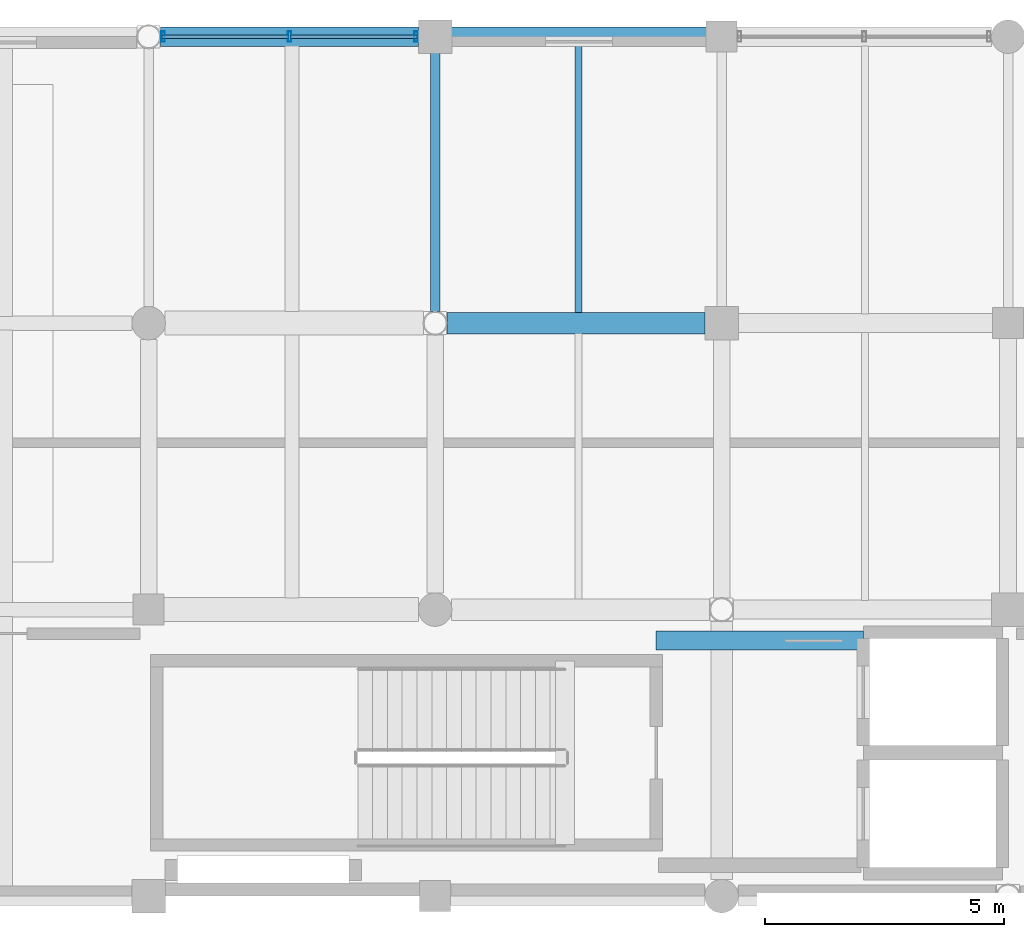
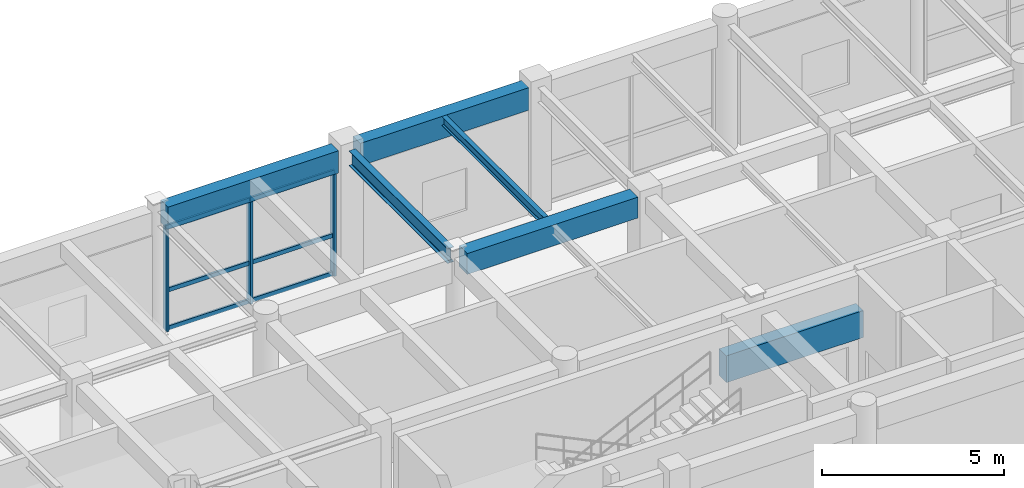
# One storey, part 68 of 116: 9 members, 6 beams, 1 element without a shape of its own.
"""IFC4 building model written with IfcOpenShell, lengths in metres."""

from ifc_helpers import new_model, si_unit, direction, frame, origin, origin_2d, place, context, subcontext, project, spatial, rectangle, hollow_rectangle, i_section, extrude, material, material_profile, profile_set, type_object, element, aggregate, save


model = new_model("IFC4")

# Units and contexts
model_context = context("Model", 3, precision=1e-05, world=origin(), true_north=direction((0.0, 1.0)))
body_context = subcontext(model_context, "Body", "Model", "MODEL_VIEW")
ifc_project = project(units=[si_unit("LENGTHUNIT", "METRE"), si_unit("AREAUNIT", "SQUARE_METRE"), si_unit("VOLUMEUNIT", "CUBIC_METRE"), si_unit("PLANEANGLEUNIT", "RADIAN"), si_unit("MASSUNIT", "GRAM", prefix="KILO"), si_unit("THERMODYNAMICTEMPERATUREUNIT", "KELVIN"), si_unit("POWERUNIT", "WATT")], contexts=[model_context])

# Site, building, storey
site_placement = place(None, origin())
site = spatial("IfcSite", under=ifc_project, at=site_placement, CompositionType="ELEMENT")
building_placement = place(site_placement, origin())
building = spatial("IfcBuilding", under=site, at=building_placement, Name="Phaisarnlok Congress Hotel", CompositionType="ELEMENT")
storey_placement = place(building_placement, frame((0.0, 0.0, 10.5)))
storey = spatial("IfcBuildingStorey", under=building, at=storey_placement, Name="L02", CompositionType="ELEMENT", Elevation=10.5)

# Beams
ifc_material_1 = material(Name="Concrete C40/50", Category="concrete")
ifc_material_profile_1 = material_profile(ifc_material_1, rectangle(XDim=0.449951171875, YDim=0.699951171875, at=origin_2d()), Name="RC 450x700")
ifc_profile_set_1 = profile_set([ifc_material_profile_1], Name="Concrete C40/50")
beam_type_1 = type_object("IfcBeamType", Name="BM-RC-450x700", PredefinedType="BEAM", material=ifc_profile_set_1)
beam_1_placement = place(storey_placement, frame((138.2490234375, 120.0, 3.889892578125), z_axis=(1.0, 0.0, 0.0), x_axis=(0.0, 1.0, 0.0)))
element("IfcBeam", 1, at=beam_1_placement, inside=storey, type_object=beam_type_1, Name="Beam B-03", PredefinedType="BEAM", context=body_context, shape_type="SweptSolid", body=[
    extrude(rectangle(XDim=0.449951171875, YDim=0.699951171875, at=origin_2d()), origin(), (0.0, 0.0, 1.0), 5.406005859375),
])
ifc_material_2 = material(Name="Steel S355", Category="steel")
ifc_material_profile_2 = material_profile(ifc_material_2, i_section(OverallWidth=0.199951171875, OverallDepth=0.5, WebThickness=0.01025390625, FlangeThickness=0.01611328125, FilletRadius=0.02099609375, at=origin_2d()), Name="IPE 500")
ifc_profile_set_2 = profile_set([ifc_material_profile_2], Name="Steel S355")
beam_type_2 = type_object("IfcBeamType", Name="BM-STL-IPE500", PredefinedType="BEAM", material=ifc_profile_set_2)
beam_2_placement = place(storey_placement, frame((138.0, 120.2490234375, 3.989990234375), z_axis=(0.0, 1.0, 0.0), x_axis=(-1.0, 0.0, 0.0)))
element("IfcBeam", 2, at=beam_2_placement, inside=storey, type_object=beam_type_2, Name="Beam SB-02", PredefinedType="BEAM", context=body_context, shape_type="SweptSolid", body=[
    extrude(i_section(OverallWidth=0.199951171875, OverallDepth=0.5, WebThickness=0.01025390625, FlangeThickness=0.01611328125, FilletRadius=0.02099609375, at=origin_2d()), origin(), (0.0, 0.0, 1.0), 5.406005859375),
])

# Curtain wall, members
ifc_material_3 = material(Name="Thermally Broken Unitised Aluminium & Low-E Glazing", Category="aluminium")
curtain_wall_type = type_object("IfcCurtainWallType", Name="CW-UNIT-17", PredefinedType="NOTDEFINED", material=ifc_material_3)
curtain_wall_placement = place(storey_placement, origin())
curtain_wall = element("IfcCurtainWall", 3, at=curtain_wall_placement, inside=storey, type_object=curtain_wall_type, Name="Unitised curtain wall CW-17 (L02)", PredefinedType="NOTDEFINED")
ifc_material_4 = material(Name="Anodised Aluminium Alloy 6063-T6", Category="aluminium")
ifc_material_profile_3 = material_profile(ifc_material_4, hollow_rectangle(XDim=0.074951171875, YDim=0.219970703125, WallThickness=0.0048828125, at=origin_2d()), Name="ALU-M 75x220x5")
ifc_profile_set_3 = profile_set([ifc_material_profile_3], Name="Anodised Aluminium Alloy 6063-T6")
member_type_1 = type_object("IfcMemberType", Name="CWM-220", PredefinedType="MULLION", material=ifc_profile_set_3)
member_1_placement = place(storey_placement, frame((137.60009765625, 126.0, 0.0), z_axis=(0.0, 0.0, 1.0), x_axis=(-1.0, 0.0, 0.0)))
member_1 = element("IfcMember", 4, at=member_1_placement, type_object=member_type_1, Name="Curtain wall mullion CWM-02", PredefinedType="MULLION", context=body_context, shape_type="SweptSolid", body=[
    extrude(hollow_rectangle(XDim=0.074951171875, YDim=0.219970703125, WallThickness=0.0048828125, at=origin_2d()), origin(), (0.0, 0.0, 1.0), 3.489990234375),
])
member_2_placement = place(storey_placement, frame((134.951904296875, 126.0, 0.0), z_axis=(0.0, 0.0, 1.0), x_axis=(-1.0, 0.0, 0.0)))
member_2 = element("IfcMember", 5, at=member_2_placement, type_object=member_type_1, Name="Curtain wall mullion CWM-02", PredefinedType="MULLION", context=body_context, shape_type="SweptSolid", body=[
    extrude(hollow_rectangle(XDim=0.074951171875, YDim=0.219970703125, WallThickness=0.0048828125, at=origin_2d()), origin(), (0.0, 0.0, 1.0), 3.489990234375),
])
member_3_placement = place(storey_placement, frame((132.303955078125, 126.0, 0.0), z_axis=(0.0, 0.0, 1.0), x_axis=(-1.0, 0.0, 0.0)))
member_3 = element("IfcMember", 6, at=member_3_placement, type_object=member_type_1, Name="Curtain wall mullion CWM-02", PredefinedType="MULLION", context=body_context, shape_type="SweptSolid", body=[
    extrude(hollow_rectangle(XDim=0.074951171875, YDim=0.219970703125, WallThickness=0.0048828125, at=origin_2d()), origin(), (0.0, 0.0, 1.0), 3.489990234375),
])
ifc_material_profile_4 = material_profile(ifc_material_4, hollow_rectangle(XDim=0.06494140625, YDim=0.139892578125, WallThickness=0.00390625, at=origin_2d()), Name="ALU-T 65x140x4")
ifc_profile_set_4 = profile_set([ifc_material_profile_4], Name="Anodised Aluminium Alloy 6063-T6")
member_type_2 = type_object("IfcMemberType", Name="CWT-150", PredefinedType="USERDEFINED", material=ifc_profile_set_4)
member_4_placement = place(storey_placement, frame((137.625, 126.0, 0.050048828125), z_axis=(-1.0, 0.0, 0.0), x_axis=(0.0, -1.0, 0.0)))
member_4 = element("IfcMember", 7, at=member_4_placement, type_object=member_type_2, Name="Curtain wall transom CWT-01", ObjectType="TRANSOM", PredefinedType="USERDEFINED", context=body_context, shape_type="SweptSolid", body=[
    extrude(hollow_rectangle(XDim=0.06494140625, YDim=0.139892578125, WallThickness=0.00390625, at=origin_2d()), origin(), (0.0, 0.0, 1.0), 2.657958984375),
])
member_5_placement = place(storey_placement, frame((137.625, 126.0, 1.326171875), z_axis=(-1.0, 0.0, 0.0), x_axis=(0.0, -1.0, 0.0)))
member_5 = element("IfcMember", 8, at=member_5_placement, type_object=member_type_2, Name="Curtain wall transom CWT-01", ObjectType="TRANSOM", PredefinedType="USERDEFINED", context=body_context, shape_type="SweptSolid", body=[
    extrude(hollow_rectangle(XDim=0.06494140625, YDim=0.139892578125, WallThickness=0.00390625, at=origin_2d()), origin(), (0.0, 0.0, 1.0), 2.657958984375),
])
member_6_placement = place(storey_placement, frame((137.625, 126.0, 3.43994140625), z_axis=(-1.0, 0.0, 0.0), x_axis=(0.0, -1.0, 0.0)))
member_6 = element("IfcMember", 9, at=member_6_placement, type_object=member_type_2, Name="Curtain wall transom CWT-01", ObjectType="TRANSOM", PredefinedType="USERDEFINED", context=body_context, shape_type="SweptSolid", body=[
    extrude(hollow_rectangle(XDim=0.06494140625, YDim=0.139892578125, WallThickness=0.00390625, at=origin_2d()), origin(), (0.0, 0.0, 1.0), 2.657958984375),
])
member_7_placement = place(storey_placement, frame((134.93701171875, 126.0, 0.050048828125), z_axis=(-1.0, 0.0, 0.0), x_axis=(0.0, -1.0, 0.0)))
member_7 = element("IfcMember", 10, at=member_7_placement, type_object=member_type_2, Name="Curtain wall transom CWT-01", ObjectType="TRANSOM", PredefinedType="USERDEFINED", context=body_context, shape_type="SweptSolid", body=[
    extrude(hollow_rectangle(XDim=0.06494140625, YDim=0.139892578125, WallThickness=0.00390625, at=origin_2d()), origin(), (0.0, 0.0, 1.0), 2.657958984375),
])
member_8_placement = place(storey_placement, frame((134.93701171875, 126.0, 1.326171875), z_axis=(-1.0, 0.0, 0.0), x_axis=(0.0, -1.0, 0.0)))
member_8 = element("IfcMember", 11, at=member_8_placement, type_object=member_type_2, Name="Curtain wall transom CWT-01", ObjectType="TRANSOM", PredefinedType="USERDEFINED", context=body_context, shape_type="SweptSolid", body=[
    extrude(hollow_rectangle(XDim=0.06494140625, YDim=0.139892578125, WallThickness=0.00390625, at=origin_2d()), origin(), (0.0, 0.0, 1.0), 2.657958984375),
])
member_9_placement = place(storey_placement, frame((134.93701171875, 126.0, 3.43994140625), z_axis=(-1.0, 0.0, 0.0), x_axis=(0.0, -1.0, 0.0)))
member_9 = element("IfcMember", 12, at=member_9_placement, type_object=member_type_2, Name="Curtain wall transom CWT-01", ObjectType="TRANSOM", PredefinedType="USERDEFINED", context=body_context, shape_type="SweptSolid", body=[
    extrude(hollow_rectangle(XDim=0.06494140625, YDim=0.139892578125, WallThickness=0.00390625, at=origin_2d()), origin(), (0.0, 0.0, 1.0), 2.657958984375),
])
aggregate(curtain_wall, [member_1, member_2, member_3, member_4, member_5, member_6, member_7, member_8, member_9])

# Beams
ifc_material_profile_5 = material_profile(ifc_material_2, i_section(OverallWidth=0.14990234375, OverallDepth=0.300048828125, WebThickness=0.007080078125, FlangeThickness=0.0107421875, FilletRadius=0.014892578125, at=origin_2d()), Name="IPE 300")
ifc_profile_set_5 = profile_set([ifc_material_profile_5], Name="Steel S355")
beam_type_3 = type_object("IfcBeamType", Name="JS-STL-IPE300", PredefinedType="JOIST", material=ifc_profile_set_5)
beam_3_placement = place(storey_placement, frame((141.0, 120.219970703125, 4.090087890625), z_axis=(0.0, 1.0, 0.0), x_axis=(-1.0, 0.0, 0.0)))
element("IfcBeam", 13, at=beam_3_placement, inside=storey, type_object=beam_type_3, Name="Secondary floor joist J-03", PredefinedType="JOIST", context=body_context, shape_type="SweptSolid", body=[
    extrude(i_section(OverallWidth=0.14990234375, OverallDepth=0.300048828125, WebThickness=0.007080078125, FlangeThickness=0.0107421875, FilletRadius=0.014892578125, at=origin_2d()), origin(), (0.0, 0.0, 1.0), 5.5849609375),
])
ifc_material_5 = material(Name="Concrete C50/60", Category="concrete")
ifc_material_profile_6 = material_profile(ifc_material_5, rectangle(XDim=0.39990234375, YDim=0.89990234375, at=origin_2d()), Name="RC 400x900")
ifc_profile_set_6 = profile_set([ifc_material_profile_6], Name="Concrete C50/60")
beam_type_4 = type_object("IfcBeamType", Name="LN-RC-400x900", PredefinedType="LINTEL", material=ifc_profile_set_6)
beam_4_placement = place(storey_placement, frame((142.6298828125, 113.35009765625, 2.85009765625), z_axis=(1.0, 0.0, 0.0), x_axis=(0.0, 1.0, 0.0)))
element("IfcBeam", 14, at=beam_4_placement, inside=storey, type_object=beam_type_4, Name="Core coupling lintel beam LN-01", PredefinedType="LINTEL", context=body_context, shape_type="SweptSolid", body=[
    extrude(rectangle(XDim=0.39990234375, YDim=0.89990234375, at=origin_2d()), origin(), (0.0, 0.0, 1.0), 4.340087890625),
])
ifc_material_profile_7 = material_profile(ifc_material_1, rectangle(XDim=0.39990234375, YDim=0.75, at=origin_2d()), Name="RC 400x750")
ifc_profile_set_7 = profile_set([ifc_material_profile_7], Name="Concrete C40/50")
beam_type_5 = type_object("IfcBeamType", Name="SP-RC-400x750", PredefinedType="SPANDREL", material=ifc_profile_set_7)
beam_5_placement = place(storey_placement, frame((132.2490234375, 126.0, 3.864990234375), z_axis=(1.0, 0.0, 0.0), x_axis=(0.0, 1.0, 0.0)))
element("IfcBeam", 15, at=beam_5_placement, inside=storey, type_object=beam_type_5, Name="Beam SP-02", PredefinedType="SPANDREL", context=body_context, shape_type="SweptSolid", body=[
    extrude(rectangle(XDim=0.39990234375, YDim=0.75, at=origin_2d()), origin(), (0.0, 0.0, 1.0), 5.406005859375),
])
beam_6_placement = place(storey_placement, frame((138.344970703125, 126.0, 3.864990234375), z_axis=(1.0, 0.0, 0.0), x_axis=(0.0, 1.0, 0.0)))
element("IfcBeam", 16, at=beam_6_placement, inside=storey, type_object=beam_type_5, Name="Beam SP-02", PredefinedType="SPANDREL", context=body_context, shape_type="SweptSolid", body=[
    extrude(rectangle(XDim=0.39990234375, YDim=0.75, at=origin_2d()), origin(), (0.0, 0.0, 1.0), 5.3349609375),
])

save(model, "model.ifc")
